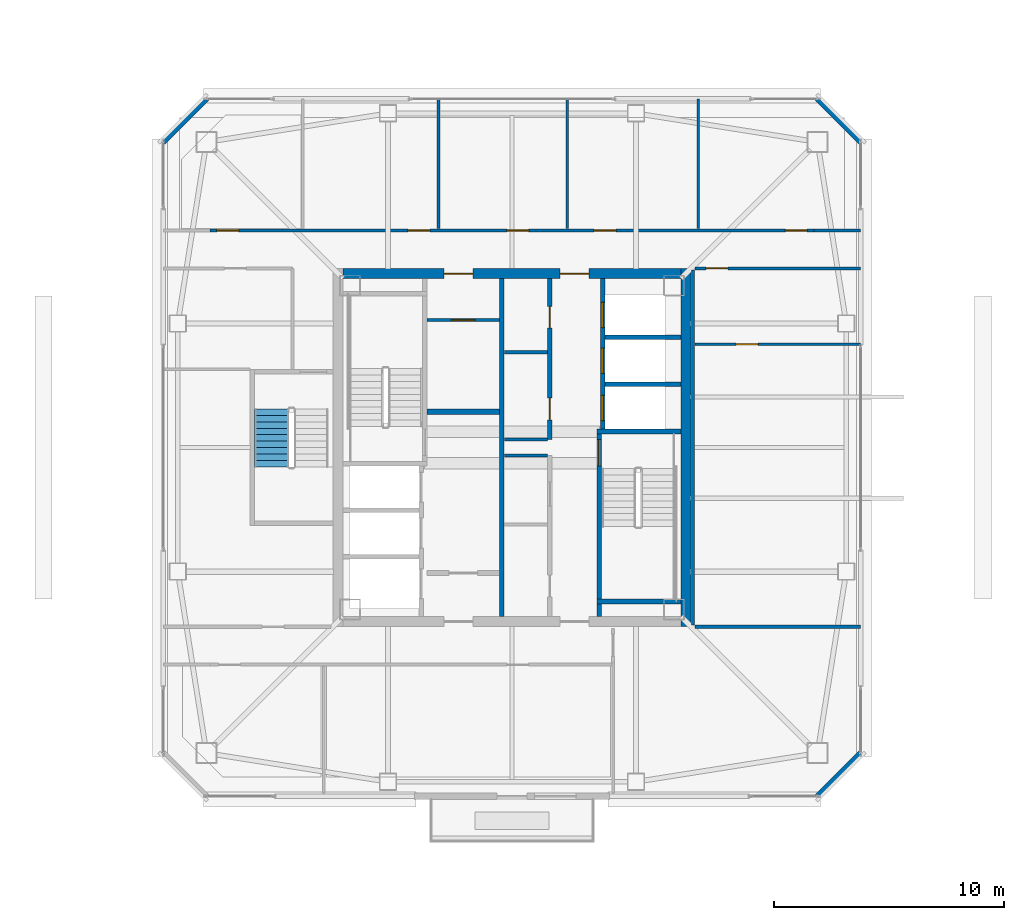
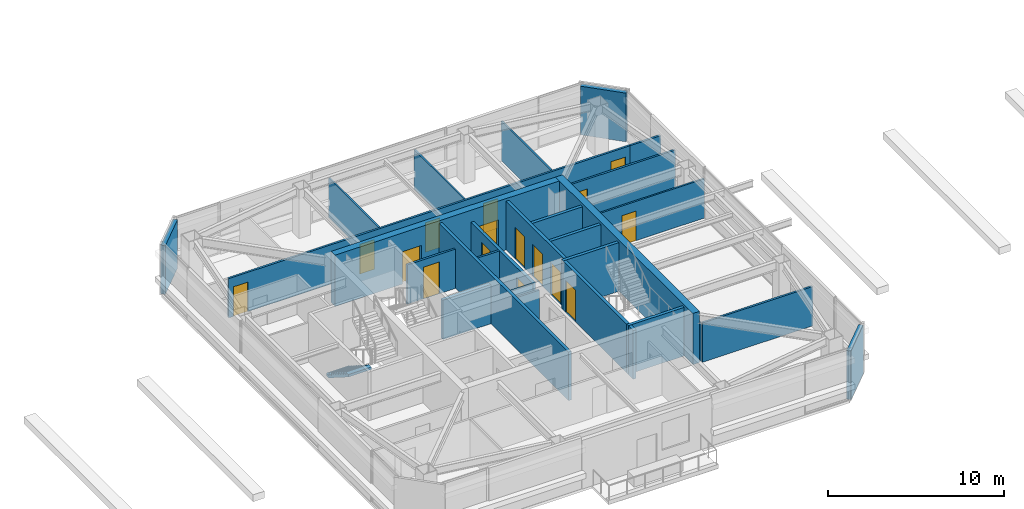
# One storey, part 26 of 31: 27 walls, 16 doors, 1 stair flight, 16 openings, 1 element without a shape of its own.
"""IFC4 building model written with IfcOpenShell, lengths in metres."""

from ifc_helpers import new_model, si_unit, direction, frame, frame_2d, origin, place, context, subcontext, project, spatial, polyline, rectangle, outline, extrude, material, layer, layer_set, type_object, element, fill, aggregate, save


model = new_model("IFC4")

# Units and contexts
model_context = context("Model", 3, precision=1e-05, world=origin(), true_north=direction((0.0, 1.0)))
body_context = subcontext(model_context, "Body", "Model", "MODEL_VIEW")
ifc_project = project(units=[si_unit("LENGTHUNIT", "METRE"), si_unit("AREAUNIT", "SQUARE_METRE"), si_unit("VOLUMEUNIT", "CUBIC_METRE"), si_unit("PLANEANGLEUNIT", "RADIAN"), si_unit("MASSUNIT", "GRAM", prefix="KILO")], contexts=[model_context])

# Site, building, storey
site_placement = place(None, origin())
site = spatial("IfcSite", under=ifc_project, at=site_placement, CompositionType="ELEMENT")
building_placement = place(site_placement, origin())
building = spatial("IfcBuilding", under=site, at=building_placement, Name="Tashvorn Skyway Center", CompositionType="ELEMENT")
storey_placement = place(building_placement, frame((0.0, 0.0, 266.949951171875)))
storey = spatial("IfcBuildingStorey", under=building, at=storey_placement, Name="L72", CompositionType="ELEMENT", Elevation=266.949951171875)

# Wall
ifc_material_1 = material(Name="Concrete C50/60", Category="concrete")
ifc_layer_1 = layer(ifc_material_1, 0.449951171875)
ifc_layer_set_1 = layer_set([ifc_layer_1], Name="Concrete C50/60")
wall_type_1 = type_object("IfcWallType", Name="WALL-CORE-450", PredefinedType="SHEAR", material=ifc_layer_set_1)
wall_1_placement = place(storey_placement, frame((49.574951171875, 39.800048828125, 0.0), z_axis=(0.0, 0.0, 1.0), x_axis=(0.0, -1.0, 0.0)))
element("IfcWall", 1, at=wall_1_placement, inside=storey, type_object=wall_type_1, Name="Tower 1 L72 East Core Shear Wall", PredefinedType="SHEAR", context=body_context, shape_type="SweptSolid", body=[
    extrude(rectangle(XDim=15.60009765625, YDim=0.449951171875, at=frame_2d((7.800048828125, 0.0))), origin(), (0.0, 0.0, 1.0), 3.550048828125),
])

# Wall, openings, doors
wall_2_placement = place(storey_placement, frame((34.64990234375, 39.574951171875, 0.0), z_axis=(0.0, 0.0, 1.0), x_axis=(1.0, 0.0, 0.0)))
wall_2 = element("IfcWall", 2, at=wall_2_placement, inside=storey, type_object=wall_type_1, Name="Tower 1 L72 North Core Shear Wall", PredefinedType="SHEAR", context=body_context, shape_type="SweptSolid", body=[
    extrude(rectangle(XDim=14.7001953125, YDim=0.449951171875, at=frame_2d((7.35009765625, 0.0))), origin(), (0.0, 0.0, 1.0), 3.550048828125),
])
opening_1_placement = place(wall_2_placement, frame((4.39990234375, 0.0, 0.0)))
opening_1 = element("IfcOpeningElement", 3, at=opening_1_placement, cuts=wall_2, Name="Opening D-FFL-1250", PredefinedType="OPENING", context=body_context, shape_type="SweptSolid", body=[
    extrude(rectangle(XDim=1.25, YDim=2.25, at=frame_2d((0.625, 1.125))), frame((0.0, 0.23486328125, 0.0), z_axis=(0.0, -1.0, 0.0), x_axis=(1.0, 0.0, 0.0)), (0.0, 0.0, 1.0), 0.469970703125),
])
opening_2_placement = place(wall_2_placement, frame((9.449951171875, 0.0, 0.0)))
opening_2 = element("IfcOpeningElement", 4, at=opening_2_placement, cuts=wall_2, Name="Opening D-FFL-1250", PredefinedType="OPENING", context=body_context, shape_type="SweptSolid", body=[
    extrude(rectangle(XDim=1.25, YDim=2.25, at=frame_2d((0.625, 1.125))), frame((0.0, 0.23486328125, 0.0), z_axis=(0.0, -1.0, 0.0), x_axis=(1.0, 0.0, 0.0)), (0.0, 0.0, 1.0), 0.469970703125),
])
ifc_material_2 = material(Name="Hollow galvanized steel fire door assembly", Category="steel")
door_type_1 = type_object("IfcDoorType", Name="DOOR-FFL-1250", OperationType="NOTDEFINED", PredefinedType="DOOR", material=ifc_material_2)
door_1_placement = place(opening_1_placement, origin())
door_1 = element("IfcDoor", 5, at=door_1_placement, inside=storey, type_object=door_type_1, Name="Tower 1 L72 Core North Service Lobby Door", OperationType="SINGLE_SWING_LEFT", OverallHeight=2.25, OverallWidth=1.25, PredefinedType="DOOR", context=body_context, shape_type="SweptSolid", body=[
    extrude(rectangle(XDim=1.25, YDim=2.25, at=frame_2d((0.625, 1.125))), frame((0.0, 0.02490234375, 0.0), z_axis=(0.0, -1.0, 0.0), x_axis=(1.0, 0.0, 0.0)), (0.0, 0.0, 1.0), 0.050048828125),
])
fill(opening_1, door_1)
door_2_placement = place(opening_2_placement, origin())
door_2 = element("IfcDoor", 6, at=door_2_placement, inside=storey, type_object=door_type_1, Name="Tower 1 L72 Core North Lift Lobby Door", OperationType="SINGLE_SWING_RIGHT", OverallHeight=2.25, OverallWidth=1.25, PredefinedType="DOOR", context=body_context, shape_type="SweptSolid", body=[
    extrude(rectangle(XDim=1.25, YDim=2.25, at=frame_2d((0.625, 1.125))), frame((0.0, 0.02490234375, 0.0), z_axis=(0.0, -1.0, 0.0), x_axis=(1.0, 0.0, 0.0)), (0.0, 0.0, 1.0), 0.050048828125),
])
fill(opening_2, door_2)

# Walls
ifc_material_3 = material(Name="Precast concrete C40/50", Category="concrete")
ifc_layer_2 = layer(ifc_material_3, 0.280029296875)
ifc_layer_set_2 = layer_set([ifc_layer_2], Name="Precast concrete C40/50")
wall_type_2 = type_object("IfcWallType", Name="WALL-EXT-280", PredefinedType="SOLIDWALL", material=ifc_layer_set_2)
for number, where, z_axis, x_axis, name in (
    (7, (26.800048828125, 45.300048828125, 0.0), (0.0, 0.0, 1.0), (0.707106781187, 0.707106781187, 0.0), "Tower 1 L72 NW Precast Chamfer Wall"),
    (8, (55.300048828125, 47.199951171875, 0.0), (0.0, 0.0, 1.0), (0.707106781187, -0.707106781187, 0.0), "Tower 1 L72 NE Precast Chamfer Wall"),
    (9, (57.199951171875, 18.699951171875, 0.0), (0.0, 0.0, 1.0), (-0.707106781187, -0.707106781187, 0.0), "Tower 1 L72 SE Precast Chamfer Wall"),
):
    element("IfcWall", number, at=place(storey_placement, frame(where, z_axis=z_axis, x_axis=x_axis)), inside=storey, type_object=wall_type_2, Name=name, PredefinedType="SOLIDWALL", context=body_context, shape_type="SweptSolid", body=[
        extrude(rectangle(XDim=2.686767578125, YDim=0.280029296875, at=frame_2d((1.34326171875, 0.0))), origin(), (0.0, 0.0, 1.0), 3.3701171875),
    ])
ifc_material_4 = material(Name="Concrete C40/50", Category="concrete")
ifc_layer_3 = layer(ifc_material_4, 0.219970703125)
ifc_layer_set_3 = layer_set([ifc_layer_3], Name="Concrete C40/50")
wall_type_3 = type_object("IfcWallType", Name="WALL-FFL-220", PredefinedType="SOLIDWALL", material=ifc_layer_set_3)
wall_3_placement = place(storey_placement, frame((38.300048828125, 33.56005859375, 0.0), z_axis=(0.0, 0.0, 1.0), x_axis=(1.0, 0.0, 0.0)))
element("IfcWall", 10, at=wall_3_placement, inside=storey, type_object=wall_type_3, Name="Tower 1 L72 Firefighting Lobby North Wall", PredefinedType="SOLIDWALL", context=body_context, shape_type="SweptSolid", body=[
    extrude(rectangle(XDim=3.14990234375, YDim=0.219970703125, at=frame_2d((1.574951171875, 0.0))), origin(), (0.0, 0.0, 1.0), 2.72314453125),
])
ifc_material_5 = material(Name="Gypsum board on cold-formed steel stud framing", Category="steel")
ifc_layer_4 = layer(ifc_material_5, 0.110107421875)
ifc_layer_set_4 = layer_set([ifc_layer_4], Name="Gypsum board on cold-formed steel stud framing")
wall_type_4 = type_object("IfcWallType", Name="WALL-PART-110", PredefinedType="PARTITIONING", material=ifc_layer_set_4)
for number, where, z_axis, x_axis, name in (
    (11, (38.800048828125, 41.530029296875, 0.0), (0.0, 0.0, 1.0), (0.0, 1.0, 0.0), "Tower 1 L72 North Suite Partition 2"),
    (12, (44.39990234375, 41.530029296875, 0.0), (0.0, 0.0, 1.0), (0.0, 1.0, 0.0), "Tower 1 L72 North Suite Partition 3"),
    (13, (50.10009765625, 41.530029296875, 0.0), (0.0, 0.0, 1.0), (0.0, 1.0, 0.0), "Tower 1 L72 North Suite Partition 4"),
):
    element("IfcWall", number, at=place(storey_placement, frame(where, z_axis=z_axis, x_axis=x_axis)), inside=storey, type_object=wall_type_4, Name=name, PredefinedType="PARTITIONING", context=body_context, shape_type="SweptSolid", body=[
        extrude(rectangle(XDim=5.64990234375, YDim=0.110107421875, at=frame_2d((2.824951171875, 0.0))), origin(), (0.0, 0.0, 1.0), 2.72314453125),
    ])

# Wall, opening, door
wall_4_placement = place(storey_placement, frame((49.9599609375, 36.5, 0.0), z_axis=(0.0, 0.0, 1.0), x_axis=(1.0, 0.0, 0.0)))
wall_4 = element("IfcWall", 14, at=wall_4_placement, inside=storey, type_object=wall_type_4, Name="Tower 1 L72 East Mid Partition", PredefinedType="PARTITIONING", context=body_context, shape_type="SweptSolid", body=[
    extrude(rectangle(XDim=7.219970703125, YDim=0.110107421875, at=frame_2d((3.60986328125, 0.0))), origin(), (0.0, 0.0, 1.0), 2.72314453125),
])
opening_3_placement = place(wall_4_placement, frame((1.800048828125, 0.0, 0.0)))
opening_3 = element("IfcOpeningElement", 15, at=opening_3_placement, cuts=wall_4, Name="Opening D-INT-950", PredefinedType="OPENING", context=body_context, shape_type="SweptSolid", body=[
    extrude(rectangle(XDim=0.949951171875, YDim=2.050048828125, at=frame_2d((0.47509765625, 1.02490234375))), frame((0.0, 0.06494140625, 0.0), z_axis=(0.0, -1.0, 0.0), x_axis=(1.0, 0.0, 0.0)), (0.0, 0.0, 1.0), 0.130126953125),
])
ifc_material_6 = material(Name="Solid-core architectural oak veneer door")
door_type_2 = type_object("IfcDoorType", Name="DOOR-INT-950", OperationType="NOTDEFINED", PredefinedType="DOOR", material=ifc_material_6)
door_3_placement = place(opening_3_placement, origin())
door_3 = element("IfcDoor", 16, at=door_3_placement, inside=storey, type_object=door_type_2, Name="Tower 1 L72 Design Studio Door", OperationType="SINGLE_SWING_RIGHT", OverallHeight=2.050048828125, OverallWidth=0.949951171875, PredefinedType="DOOR", context=body_context, shape_type="SweptSolid", body=[
    extrude(rectangle(XDim=0.949951171875, YDim=2.050048828125, at=frame_2d((0.47509765625, 1.02490234375))), frame((0.0, 0.02490234375, 0.0), z_axis=(0.0, -1.0, 0.0), x_axis=(1.0, 0.0, 0.0)), (0.0, 0.0, 1.0), 0.050048828125),
])
fill(opening_3, door_3)

# Wall, openings, doors
ifc_layer_5 = layer(ifc_material_5, 0.135009765625)
ifc_layer_set_5 = layer_set([ifc_layer_5], Name="Gypsum board on cold-formed steel stud framing")
wall_type_5 = type_object("IfcWallType", Name="WALL-PART-135", PredefinedType="PARTITIONING", material=ifc_layer_set_5)
wall_5_placement = place(storey_placement, frame((28.85009765625, 41.449951171875, 0.0), z_axis=(0.0, 0.0, 1.0), x_axis=(1.0, 0.0, 0.0)))
wall_5 = element("IfcWall", 17, at=wall_5_placement, inside=storey, type_object=wall_type_5, Name="Tower 1 L72 North Suite Wall", PredefinedType="PARTITIONING", context=body_context, shape_type="SweptSolid", body=[
    extrude(rectangle(XDim=26.2998046875, YDim=0.135009765625, at=frame_2d((13.14990234375, 0.0))), origin(), (0.0, 0.0, 1.0), 2.72314453125),
])
opening_4_placement = place(wall_5_placement, frame((0.300048828125, 0.0, 0.0)))
opening_4 = element("IfcOpeningElement", 18, at=opening_4_placement, cuts=wall_5, Name="Opening D-INT-950", PredefinedType="OPENING", context=body_context, shape_type="SweptSolid", body=[
    extrude(rectangle(XDim=0.949951171875, YDim=2.050048828125, at=frame_2d((0.47509765625, 1.02490234375))), frame((0.0, 0.077392578125, 0.0), z_axis=(0.0, -1.0, 0.0), x_axis=(1.0, 0.0, 0.0)), (0.0, 0.0, 1.0), 0.155029296875),
])
opening_5_placement = place(wall_5_placement, frame((8.6201171875, 0.0, 0.0)))
opening_5 = element("IfcOpeningElement", 19, at=opening_5_placement, cuts=wall_5, Name="Opening D-INT-950", PredefinedType="OPENING", context=body_context, shape_type="SweptSolid", body=[
    extrude(rectangle(XDim=0.949951171875, YDim=2.050048828125, at=frame_2d((0.47509765625, 1.02490234375))), frame((0.0, 0.077392578125, 0.0), z_axis=(0.0, -1.0, 0.0), x_axis=(1.0, 0.0, 0.0)), (0.0, 0.0, 1.0), 0.155029296875),
])
opening_6_placement = place(wall_5_placement, frame((12.92333984375, 0.0, 0.0)))
opening_6 = element("IfcOpeningElement", 20, at=opening_6_placement, cuts=wall_5, Name="Opening D-INT-950", PredefinedType="OPENING", context=body_context, shape_type="SweptSolid", body=[
    extrude(rectangle(XDim=0.949951171875, YDim=2.050048828125, at=frame_2d((0.47509765625, 1.02490234375))), frame((0.0, 0.077392578125, 0.0), z_axis=(0.0, -1.0, 0.0), x_axis=(1.0, 0.0, 0.0)), (0.0, 0.0, 1.0), 0.155029296875),
])
opening_7_placement = place(wall_5_placement, frame((16.72802734375, 0.0, 0.0)))
opening_7 = element("IfcOpeningElement", 21, at=opening_7_placement, cuts=wall_5, Name="Opening D-INT-950", PredefinedType="OPENING", context=body_context, shape_type="SweptSolid", body=[
    extrude(rectangle(XDim=0.949951171875, YDim=2.050048828125, at=frame_2d((0.47509765625, 1.02490234375))), frame((0.0, 0.077392578125, 0.0), z_axis=(0.0, -1.0, 0.0), x_axis=(1.0, 0.0, 0.0)), (0.0, 0.0, 1.0), 0.155029296875),
])
opening_8_placement = place(wall_5_placement, frame((25.050048828125, 0.0, 0.0)))
opening_8 = element("IfcOpeningElement", 22, at=opening_8_placement, cuts=wall_5, Name="Opening D-INT-950", PredefinedType="OPENING", context=body_context, shape_type="SweptSolid", body=[
    extrude(rectangle(XDim=0.949951171875, YDim=2.050048828125, at=frame_2d((0.47509765625, 1.02490234375))), frame((0.0, 0.077392578125, 0.0), z_axis=(0.0, -1.0, 0.0), x_axis=(1.0, 0.0, 0.0)), (0.0, 0.0, 1.0), 0.155029296875),
])
door_4_placement = place(opening_4_placement, origin())
door_4 = element("IfcDoor", 23, at=door_4_placement, inside=storey, type_object=door_type_2, Name="Tower 1 L72 Research Library Door", OperationType="SINGLE_SWING_LEFT", OverallHeight=2.050048828125, OverallWidth=0.949951171875, PredefinedType="DOOR", context=body_context, shape_type="SweptSolid", body=[
    extrude(rectangle(XDim=0.949951171875, YDim=2.050048828125, at=frame_2d((0.47509765625, 1.02490234375))), frame((0.0, 0.02490234375, 0.0), z_axis=(0.0, -1.0, 0.0), x_axis=(1.0, 0.0, 0.0)), (0.0, 0.0, 1.0), 0.050048828125),
])
fill(opening_4, door_4)
door_5_placement = place(opening_5_placement, origin())
door_5 = element("IfcDoor", 24, at=door_5_placement, inside=storey, type_object=door_type_2, Name="Tower 1 L72 Research Library Door", OperationType="SINGLE_SWING_RIGHT", OverallHeight=2.050048828125, OverallWidth=0.949951171875, PredefinedType="DOOR", context=body_context, shape_type="SweptSolid", body=[
    extrude(rectangle(XDim=0.949951171875, YDim=2.050048828125, at=frame_2d((0.47509765625, 1.02490234375))), frame((0.0, 0.02490234375, 0.0), z_axis=(0.0, -1.0, 0.0), x_axis=(1.0, 0.0, 0.0)), (0.0, 0.0, 1.0), 0.050048828125),
])
fill(opening_5, door_5)
door_6_placement = place(opening_6_placement, origin())
door_6 = element("IfcDoor", 25, at=door_6_placement, inside=storey, type_object=door_type_2, Name="Tower 1 L72 Security Control Room Door", OperationType="SINGLE_SWING_LEFT", OverallHeight=2.050048828125, OverallWidth=0.949951171875, PredefinedType="DOOR", context=body_context, shape_type="SweptSolid", body=[
    extrude(rectangle(XDim=0.949951171875, YDim=2.050048828125, at=frame_2d((0.47509765625, 1.02490234375))), frame((0.0, 0.02490234375, 0.0), z_axis=(0.0, -1.0, 0.0), x_axis=(1.0, 0.0, 0.0)), (0.0, 0.0, 1.0), 0.050048828125),
])
fill(opening_6, door_6)
door_7_placement = place(opening_7_placement, origin())
door_7 = element("IfcDoor", 26, at=door_7_placement, inside=storey, type_object=door_type_2, Name="Tower 1 L72 Research Library Door", OperationType="SINGLE_SWING_RIGHT", OverallHeight=2.050048828125, OverallWidth=0.949951171875, PredefinedType="DOOR", context=body_context, shape_type="SweptSolid", body=[
    extrude(rectangle(XDim=0.949951171875, YDim=2.050048828125, at=frame_2d((0.47509765625, 1.02490234375))), frame((0.0, 0.02490234375, 0.0), z_axis=(0.0, -1.0, 0.0), x_axis=(1.0, 0.0, 0.0)), (0.0, 0.0, 1.0), 0.050048828125),
])
fill(opening_7, door_7)
door_8_placement = place(opening_8_placement, origin())
door_8 = element("IfcDoor", 27, at=door_8_placement, inside=storey, type_object=door_type_2, Name="Tower 1 L72 Research Library Door", OperationType="SINGLE_SWING_LEFT", OverallHeight=2.050048828125, OverallWidth=0.949951171875, PredefinedType="DOOR", context=body_context, shape_type="SweptSolid", body=[
    extrude(rectangle(XDim=0.949951171875, YDim=2.050048828125, at=frame_2d((0.47509765625, 1.02490234375))), frame((0.0, 0.02490234375, 0.0), z_axis=(0.0, -1.0, 0.0), x_axis=(1.0, 0.0, 0.0)), (0.0, 0.0, 1.0), 0.050048828125),
])
fill(opening_8, door_8)

# Walls
wall_6_placement = place(storey_placement, frame((55.14990234375, 41.449951171875, 0.0), z_axis=(0.0, 0.0, 1.0), x_axis=(1.0, 0.0, 0.0)))
element("IfcWall", 28, at=wall_6_placement, inside=storey, type_object=wall_type_5, Name="Tower 1 L72 North-East Suite South Wall", PredefinedType="PARTITIONING", context=body_context, shape_type="SweptSolid", body=[
    extrude(rectangle(XDim=2.030029296875, YDim=0.135009765625, at=frame_2d((1.01513671875, 0.0))), origin(), (0.0, 0.0, 1.0), 2.72314453125),
])
wall_7_placement = place(storey_placement, frame((49.8798828125, 39.719970703125, 0.0), z_axis=(0.0, 0.0, 1.0), x_axis=(0.0, -1.0, 0.0)))
element("IfcWall", 29, at=wall_7_placement, inside=storey, type_object=wall_type_5, Name="Tower 1 L72 East Inner Suite Wall", PredefinedType="PARTITIONING", context=body_context, shape_type="SweptSolid", body=[
    extrude(rectangle(XDim=15.43994140625, YDim=0.135009765625, at=frame_2d((7.719970703125, 0.0))), origin(), (0.0, 0.0, 1.0), 2.72314453125),
])

# Wall, opening, door
wall_8_placement = place(storey_placement, frame((57.179931640625, 39.800048828125, 0.0), z_axis=(0.0, 0.0, 1.0), x_axis=(-1.0, 0.0, 0.0)))
wall_8 = element("IfcWall", 30, at=wall_8_placement, inside=storey, type_object=wall_type_5, Name="Tower 1 L72 East Suite North Wall", PredefinedType="PARTITIONING", context=body_context, shape_type="SweptSolid", body=[
    extrude(rectangle(XDim=7.219970703125, YDim=0.135009765625, at=frame_2d((3.60986328125, 0.0))), origin(), (0.0, 0.0, 1.0), 2.72314453125),
])
opening_9_placement = place(wall_8_placement, frame((5.780029296875, 0.0, 0.0)))
opening_9 = element("IfcOpeningElement", 31, at=opening_9_placement, cuts=wall_8, Name="Opening D-INT-950", PredefinedType="OPENING", context=body_context, shape_type="SweptSolid", body=[
    extrude(rectangle(XDim=0.949951171875, YDim=2.050048828125, at=frame_2d((0.47509765625, 1.02490234375))), frame((0.0, 0.077392578125, 0.0), z_axis=(0.0, -1.0, 0.0), x_axis=(1.0, 0.0, 0.0)), (0.0, 0.0, 1.0), 0.155029296875),
])
door_9_placement = place(opening_9_placement, origin())
door_9 = element("IfcDoor", 32, at=door_9_placement, inside=storey, type_object=door_type_2, Name="Tower 1 L72 Research Library Door", OperationType="SINGLE_SWING_LEFT", OverallHeight=2.050048828125, OverallWidth=0.949951171875, PredefinedType="DOOR", context=body_context, shape_type="SweptSolid", body=[
    extrude(rectangle(XDim=0.949951171875, YDim=2.050048828125, at=frame_2d((0.47509765625, 1.02490234375))), frame((0.0, 0.02490234375, 0.0), z_axis=(0.0, -1.0, 0.0), x_axis=(1.0, 0.0, 0.0)), (0.0, 0.0, 1.0), 0.050048828125),
])
fill(opening_9, door_9)

# Wall
wall_9_placement = place(storey_placement, frame((49.9599609375, 24.199951171875, 0.0), z_axis=(0.0, 0.0, 1.0), x_axis=(1.0, 0.0, 0.0)))
element("IfcWall", 33, at=wall_9_placement, inside=storey, type_object=wall_type_5, Name="Tower 1 L72 East Suite South Wall", PredefinedType="PARTITIONING", context=body_context, shape_type="SweptSolid", body=[
    extrude(rectangle(XDim=7.219970703125, YDim=0.135009765625, at=frame_2d((3.60986328125, 0.0))), origin(), (0.0, 0.0, 1.0), 2.72314453125),
])

# Wall, opening, door
ifc_layer_6 = layer(ifc_material_5, 0.135009765625)
ifc_layer_set_6 = layer_set([ifc_layer_6], Name="Gypsum board on cold-formed steel stud framing")
wall_type_6 = type_object("IfcWallType", Name="WALL-RATED-135", PredefinedType="PARTITIONING", material=ifc_layer_set_6)
wall_10_placement = place(storey_placement, frame((38.300048828125, 37.550048828125, 0.0), z_axis=(0.0, 0.0, 1.0), x_axis=(1.0, 0.0, 0.0)))
wall_10 = element("IfcWall", 34, at=wall_10_placement, inside=storey, type_object=wall_type_6, Name="Tower 1 L72 Core Service Lobby Wall", PredefinedType="PARTITIONING", context=body_context, shape_type="SweptSolid", body=[
    extrude(rectangle(XDim=3.14990234375, YDim=0.135009765625, at=frame_2d((1.574951171875, 0.0))), origin(), (0.0, 0.0, 1.0), 2.72314453125),
])
opening_10_placement = place(wall_10_placement, frame((1.050048828125, 0.0, 0.0)))
opening_10 = element("IfcOpeningElement", 35, at=opening_10_placement, cuts=wall_10, Name="Opening D-RT-1050", PredefinedType="OPENING", context=body_context, shape_type="SweptSolid", body=[
    extrude(rectangle(XDim=1.050048828125, YDim=2.199951171875, at=frame_2d((0.52490234375, 1.10009765625))), frame((0.0, 0.077392578125, 0.0), z_axis=(0.0, -1.0, 0.0), x_axis=(1.0, 0.0, 0.0)), (0.0, 0.0, 1.0), 0.155029296875),
])
door_type_3 = type_object("IfcDoorType", Name="DOOR-RATED-1050", OperationType="NOTDEFINED", PredefinedType="DOOR", material=ifc_material_2)
door_10_placement = place(opening_10_placement, origin())
door_10 = element("IfcDoor", 36, at=door_10_placement, inside=storey, type_object=door_type_3, Name="Tower 1 L72 Core Accessible WC Door", OperationType="SINGLE_SWING_LEFT", OverallHeight=2.199951171875, OverallWidth=1.050048828125, PredefinedType="DOOR", context=body_context, shape_type="SweptSolid", body=[
    extrude(rectangle(XDim=1.050048828125, YDim=2.199951171875, at=frame_2d((0.52490234375, 1.10009765625))), frame((0.0, 0.02490234375, 0.0), z_axis=(0.0, -1.0, 0.0), x_axis=(1.0, 0.0, 0.0)), (0.0, 0.0, 1.0), 0.050048828125),
])
fill(opening_10, door_10)

# Walls
for number, where, z_axis, x_axis, name in (
    (37, (41.669921875, 31.64990234375, 0.0), (0.0, 0.0, 1.0), (1.0, 0.0, 0.0), "Tower 1 L72 Core Room Partition"),
    (38, (41.669921875, 32.35009765625, 0.0), (0.0, 0.0, 1.0), (1.0, 0.0, 0.0), "Tower 1 L72 Core Room Partition"),
    (39, (41.669921875, 36.14990234375, 0.0), (0.0, 0.0, 1.0), (1.0, 0.0, 0.0), "Tower 1 L72 Freed Mid-Rise Partition"),
):
    element("IfcWall", number, at=place(storey_placement, frame(where, z_axis=z_axis, x_axis=x_axis)), inside=storey, type_object=wall_type_6, Name=name, PredefinedType="PARTITIONING", context=body_context, shape_type="SweptSolid", body=[
        extrude(rectangle(XDim=1.880126953125, YDim=0.135009765625, at=frame_2d((0.93994140625, 0.0))), origin(), (0.0, 0.0, 1.0), 2.72314453125),
    ])
ifc_layer_7 = layer(ifc_material_4, 0.199951171875)
ifc_layer_set_7 = layer_set([ifc_layer_7], Name="Concrete C40/50")
wall_type_7 = type_object("IfcWallType", Name="WALL-SHAFT-200", PredefinedType="SOLIDWALL", material=ifc_layer_set_7)
for number, where, z_axis, x_axis, name in (
    (40, (46.050048828125, 34.75, 0.0), (0.0, 0.0, 1.0), (1.0, 0.0, 0.0), "Tower 1 L72 High-Rise Shaft Divider"),
    (41, (46.050048828125, 36.800048828125, 0.0), (0.0, 0.0, 1.0), (1.0, 0.0, 0.0), "Tower 1 L72 High-Rise Shaft Divider"),
):
    element("IfcWall", number, at=place(storey_placement, frame(where, z_axis=z_axis, x_axis=x_axis)), inside=storey, type_object=wall_type_7, Name=name, PredefinedType="SOLIDWALL", context=body_context, shape_type="SweptSolid", body=[
        extrude(rectangle(XDim=3.300048828125, YDim=0.199951171875, at=frame_2d((1.64990234375, 0.0))), origin(), (0.0, 0.0, 1.0), 3.3701171875),
    ])

# Wall, openings, doors
wall_11_placement = place(storey_placement, frame((43.64990234375, 32.35009765625, 0.0), z_axis=(0.0, 0.0, 1.0), x_axis=(0.0, 1.0, 0.0)))
wall_11 = element("IfcWall", 42, at=wall_11_placement, inside=storey, type_object=wall_type_7, Name="Tower 1 L72 Mid-Rise Core Wall", PredefinedType="SOLIDWALL", context=body_context, shape_type="SweptSolid", body=[
    extrude(rectangle(XDim=7.0, YDim=0.199951171875, at=frame_2d((3.5, 0.0))), origin(), (0.0, 0.0, 1.0), 2.72314453125),
])
opening_11_placement = place(wall_11_placement, frame((0.85009765625, 0.0, 0.0)))
opening_11 = element("IfcOpeningElement", 43, at=opening_11_placement, cuts=wall_11, Name="Opening D-RT-950", PredefinedType="OPENING", context=body_context, shape_type="SweptSolid", body=[
    extrude(rectangle(XDim=0.949951171875, YDim=2.050048828125, at=frame_2d((0.47509765625, 1.02490234375))), frame((0.0, 0.10986328125, 0.0), z_axis=(0.0, -1.0, 0.0), x_axis=(1.0, 0.0, 0.0)), (0.0, 0.0, 1.0), 0.219970703125),
])
opening_12_placement = place(wall_11_placement, frame((4.85009765625, 0.0, 0.0)))
opening_12 = element("IfcOpeningElement", 44, at=opening_12_placement, cuts=wall_11, Name="Opening D-RT-950", PredefinedType="OPENING", context=body_context, shape_type="SweptSolid", body=[
    extrude(rectangle(XDim=0.949951171875, YDim=2.050048828125, at=frame_2d((0.47509765625, 1.02490234375))), frame((0.0, 0.10986328125, 0.0), z_axis=(0.0, -1.0, 0.0), x_axis=(1.0, 0.0, 0.0)), (0.0, 0.0, 1.0), 0.219970703125),
])
door_type_4 = type_object("IfcDoorType", Name="DOOR-RATED-950", OperationType="NOTDEFINED", PredefinedType="DOOR", material=ifc_material_2)
door_11_placement = place(opening_11_placement, origin())
door_11 = element("IfcDoor", 45, at=door_11_placement, inside=storey, type_object=door_type_4, Name="Tower 1 L72 Core IT Room Door", OperationType="SINGLE_SWING_RIGHT", OverallHeight=2.050048828125, OverallWidth=0.949951171875, PredefinedType="DOOR", context=body_context, shape_type="SweptSolid", body=[
    extrude(rectangle(XDim=0.949951171875, YDim=2.050048828125, at=frame_2d((0.47509765625, 1.02490234375))), frame((0.0, 0.02490234375, 0.0), z_axis=(0.0, -1.0, 0.0), x_axis=(1.0, 0.0, 0.0)), (0.0, 0.0, 1.0), 0.050048828125),
])
fill(opening_11, door_11)
door_12_placement = place(opening_12_placement, origin())
door_12 = element("IfcDoor", 46, at=door_12_placement, inside=storey, type_object=door_type_4, Name="Tower 1 L72 Core Catering Pantry Door", OperationType="SINGLE_SWING_LEFT", OverallHeight=2.050048828125, OverallWidth=0.949951171875, PredefinedType="DOOR", context=body_context, shape_type="SweptSolid", body=[
    extrude(rectangle(XDim=0.949951171875, YDim=2.050048828125, at=frame_2d((0.47509765625, 1.02490234375))), frame((0.0, 0.02490234375, 0.0), z_axis=(0.0, -1.0, 0.0), x_axis=(1.0, 0.0, 0.0)), (0.0, 0.0, 1.0), 0.050048828125),
])
fill(opening_12, door_12)

# Wall, opening, door
ifc_layer_8 = layer(ifc_material_4, 0.199951171875)
ifc_layer_set_8 = layer_set([ifc_layer_8], Name="Concrete C40/50")
wall_type_8 = type_object("IfcWallType", Name="WALL-STSHF-200", PredefinedType="SHEAR", material=ifc_layer_set_8)
wall_12_placement = place(storey_placement, frame((45.800048828125, 32.800048828125, 0.0), z_axis=(0.0, 0.0, 1.0), x_axis=(0.0, -1.0, 0.0)))
wall_12 = element("IfcWall", 47, at=wall_12_placement, inside=storey, type_object=wall_type_8, Name="Tower 1 L72 Stair 2 Enclosure Wall", PredefinedType="SHEAR", context=body_context, shape_type="SweptSolid", body=[
    extrude(rectangle(XDim=8.150146484375, YDim=0.199951171875, at=frame_2d((4.0751953125, 0.0))), origin(), (0.0, 0.0, 1.0), 3.3701171875),
])
opening_13_placement = place(wall_12_placement, frame((0.449951171875, 0.0, 0.0)))
opening_13 = element("IfcOpeningElement", 48, at=opening_13_placement, cuts=wall_12, Name="Opening D-ST-1150", PredefinedType="OPENING", context=body_context, shape_type="SweptSolid", body=[
    extrude(rectangle(XDim=1.14990234375, YDim=2.199951171875, at=frame_2d((0.574951171875, 1.10009765625))), frame((0.0, 0.10986328125, 0.0), z_axis=(0.0, -1.0, 0.0), x_axis=(1.0, 0.0, 0.0)), (0.0, 0.0, 1.0), 0.219970703125),
])
door_type_5 = type_object("IfcDoorType", Name="DOOR-STAIR-1150", OperationType="NOTDEFINED", PredefinedType="DOOR", material=ifc_material_2)
door_13_placement = place(opening_13_placement, origin())
door_13 = element("IfcDoor", 49, at=door_13_placement, inside=storey, type_object=door_type_5, Name="Tower 1 L72 Exit Stair 2 Door", OperationType="SINGLE_SWING_RIGHT", OverallHeight=2.199951171875, OverallWidth=1.14990234375, PredefinedType="DOOR", context=body_context, shape_type="SweptSolid", body=[
    extrude(rectangle(XDim=1.14990234375, YDim=2.199951171875, at=frame_2d((0.574951171875, 1.10009765625))), frame((0.0, 0.02490234375, 0.0), z_axis=(0.0, -1.0, 0.0), x_axis=(1.0, 0.0, 0.0)), (0.0, 0.0, 1.0), 0.050048828125),
])
fill(opening_13, door_13)

# Walls
for number, where, z_axis, x_axis, name in (
    (50, (45.699951171875, 32.699951171875, 0.0), (0.0, 0.0, 1.0), (1.0, 0.0, 0.0), "Tower 1 L72 Stair 2 North Wall"),
    (51, (45.699951171875, 25.300048828125, 0.0), (0.0, 0.0, 1.0), (1.0, 0.0, 0.0), "Tower 1 L72 Stair 2 South Wall"),
):
    element("IfcWall", number, at=place(storey_placement, frame(where, z_axis=z_axis, x_axis=x_axis)), inside=storey, type_object=wall_type_8, Name=name, PredefinedType="SHEAR", context=body_context, shape_type="SweptSolid", body=[
        extrude(rectangle(XDim=3.650146484375, YDim=0.199951171875, at=frame_2d((1.8251953125, 0.0))), origin(), (0.0, 0.0, 1.0), 3.3701171875),
    ])
wall_13_placement = place(storey_placement, frame((41.56005859375, 24.64990234375, 0.0), z_axis=(0.0, 0.0, 1.0), x_axis=(0.0, 1.0, 0.0)))
element("IfcWall", 52, at=wall_13_placement, inside=storey, type_object=wall_type_8, Name="Tower 1 L72 Firefighting Lobby East Smoke Barrier", PredefinedType="SHEAR", context=body_context, shape_type="SweptSolid", body=[
    extrude(rectangle(XDim=14.7001953125, YDim=0.199951171875, at=frame_2d((7.35009765625, 0.0))), origin(), (0.0, 0.0, 1.0), 3.3701171875),
])

# Wall, openings, doors
wall_14_placement = place(storey_placement, frame((45.949951171875, 39.35009765625, 0.0), z_axis=(0.0, 0.0, 1.0), x_axis=(0.0, -1.0, 0.0)))
wall_14 = element("IfcWall", 53, at=wall_14_placement, inside=storey, type_object=wall_type_8, Name="Tower 1 L72 High-Rise Lift Shaft Front Wall", PredefinedType="SHEAR", context=body_context, shape_type="SweptSolid", body=[
    extrude(rectangle(XDim=6.550048828125, YDim=0.199951171875, at=frame_2d((3.27490234375, 0.0))), origin(), (0.0, 0.0, 1.0), 3.3701171875),
])
opening_14_placement = place(wall_14_placement, frame((5.074951171875, 0.0, 0.0)))
opening_14 = element("IfcOpeningElement", 54, at=opening_14_placement, cuts=wall_14, Name="Opening LD-HR-T1-1-L72", PredefinedType="OPENING", context=body_context, shape_type="SweptSolid", body=[
    extrude(rectangle(XDim=1.10009765625, YDim=2.199951171875, at=frame_2d((0.550048828125, 1.10009765625))), frame((0.0, 0.10986328125, 0.0), z_axis=(0.0, -1.0, 0.0), x_axis=(1.0, 0.0, 0.0)), (0.0, 0.0, 1.0), 0.219970703125),
])
opening_15_placement = place(wall_14_placement, frame((3.02490234375, 0.0, 0.0)))
opening_15 = element("IfcOpeningElement", 55, at=opening_15_placement, cuts=wall_14, Name="Opening LD-HR-T1-2-L72", PredefinedType="OPENING", context=body_context, shape_type="SweptSolid", body=[
    extrude(rectangle(XDim=1.10009765625, YDim=2.199951171875, at=frame_2d((0.550048828125, 1.10009765625))), frame((0.0, 0.10986328125, 0.0), z_axis=(0.0, -1.0, 0.0), x_axis=(1.0, 0.0, 0.0)), (0.0, 0.0, 1.0), 0.219970703125),
])
opening_16_placement = place(wall_14_placement, frame((1.02490234375, 0.0, 0.0)))
opening_16 = element("IfcOpeningElement", 56, at=opening_16_placement, cuts=wall_14, Name="Opening LD-HR-T1-3-L72", PredefinedType="OPENING", context=body_context, shape_type="SweptSolid", body=[
    extrude(rectangle(XDim=1.10009765625, YDim=2.199951171875, at=frame_2d((0.550048828125, 1.10009765625))), frame((0.0, 0.10986328125, 0.0), z_axis=(0.0, -1.0, 0.0), x_axis=(1.0, 0.0, 0.0)), (0.0, 0.0, 1.0), 0.219970703125),
])
ifc_material_7 = material(Name="Stainless steel landing door", Category="steel")
door_type_6 = type_object("IfcDoorType", Name="DOOR-LIFT-1100", OperationType="SLIDING_TO_LEFT", PredefinedType="DOOR", material=ifc_material_7)
door_14_placement = place(opening_14_placement, origin())
door_14 = element("IfcDoor", 57, at=door_14_placement, inside=storey, type_object=door_type_6, Name="Lift HR-T1-1 L72 Landing Door", OperationType="SLIDING_TO_LEFT", OverallHeight=2.199951171875, OverallWidth=1.10009765625, PredefinedType="DOOR", context=body_context, shape_type="SweptSolid", body=[
    extrude(rectangle(XDim=1.10009765625, YDim=2.199951171875, at=frame_2d((0.550048828125, 1.10009765625))), frame((0.0, 0.02490234375, 0.0), z_axis=(0.0, -1.0, 0.0), x_axis=(1.0, 0.0, 0.0)), (0.0, 0.0, 1.0), 0.050048828125),
])
fill(opening_14, door_14)
door_15_placement = place(opening_15_placement, origin())
door_15 = element("IfcDoor", 58, at=door_15_placement, inside=storey, type_object=door_type_6, Name="Lift HR-T1-2 L72 Landing Door", OperationType="SLIDING_TO_LEFT", OverallHeight=2.199951171875, OverallWidth=1.10009765625, PredefinedType="DOOR", context=body_context, shape_type="SweptSolid", body=[
    extrude(rectangle(XDim=1.10009765625, YDim=2.199951171875, at=frame_2d((0.550048828125, 1.10009765625))), frame((0.0, 0.02490234375, 0.0), z_axis=(0.0, -1.0, 0.0), x_axis=(1.0, 0.0, 0.0)), (0.0, 0.0, 1.0), 0.050048828125),
])
fill(opening_15, door_15)
door_16_placement = place(opening_16_placement, origin())
door_16 = element("IfcDoor", 59, at=door_16_placement, inside=storey, type_object=door_type_6, Name="Lift HR-T1-3 L72 Landing Door", OperationType="SLIDING_TO_LEFT", OverallHeight=2.199951171875, OverallWidth=1.10009765625, PredefinedType="DOOR", context=body_context, shape_type="SweptSolid", body=[
    extrude(rectangle(XDim=1.10009765625, YDim=2.199951171875, at=frame_2d((0.550048828125, 1.10009765625))), frame((0.0, 0.02490234375, 0.0), z_axis=(0.0, -1.0, 0.0), x_axis=(1.0, 0.0, 0.0)), (0.0, 0.0, 1.0), 0.050048828125),
])
fill(opening_16, door_16)

# Stair, stair flight
stair_type = type_object("IfcStairType", Name="STAIR-CORE-1500", PredefinedType="HALF_TURN_STAIR", material=ifc_material_4)
stair_placement = place(storey_placement, origin())
stair = element("IfcStair", 60, at=stair_placement, inside=storey, type_object=stair_type, Name="L72 Tower 1 Exit Stair 3", PredefinedType="HALF_TURN_STAIR")
stair_flight_type = type_object("IfcStairFlightType", Name="SFLIGHT-1500", PredefinedType="STRAIGHT", material=ifc_material_4)
stair_flight_placement = place(storey_placement, frame((31.550048828125, 33.679931640625, 0.0), z_axis=(0.0, 0.0, 1.0), x_axis=(0.0, -1.0, 0.0)))
stair_flight = element("IfcStairFlight", 61, at=stair_flight_placement, type_object=stair_flight_type, Name="ST-T1-3 flight 1", NumberOfRisers=10, NumberOfTreads=9, PredefinedType="STRAIGHT", RiserHeight=0.1775, TreadLength=0.28, context=body_context, shape_type="SweptSolid", body=[
    extrude(outline(polyline([(0.0, 0.0), (0.0, 0.177490234375), (0.280029296875, 0.177490234375), (0.280029296875, 0.35498046875), (0.56005859375, 0.35498046875), (0.56005859375, 0.532470703125), (0.840087890625, 0.532470703125), (0.840087890625, 0.7099609375), (1.1201171875, 0.7099609375), (1.1201171875, 0.887451171875), (1.39990234375, 0.887451171875), (1.39990234375, 1.06494140625), (1.679931640625, 1.06494140625), (1.679931640625, 1.242431640625), (1.9599609375, 1.242431640625), (1.9599609375, 1.419921875), (2.239990234375, 1.419921875), (2.239990234375, 1.597412109375), (2.52001953125, 1.597412109375), (2.52001953125, 1.77490234375), (2.52001953125, 1.419921875), (0.280029296875, 0.0), (0.0, 0.0)])), frame((0.0, 0.75, 0.0), z_axis=(0.0, -1.0, 0.0), x_axis=(1.0, 0.0, 0.0)), (0.0, 0.0, 1.0), 1.5),
])
aggregate(stair, [stair_flight])

save(model, "model.ifc")
